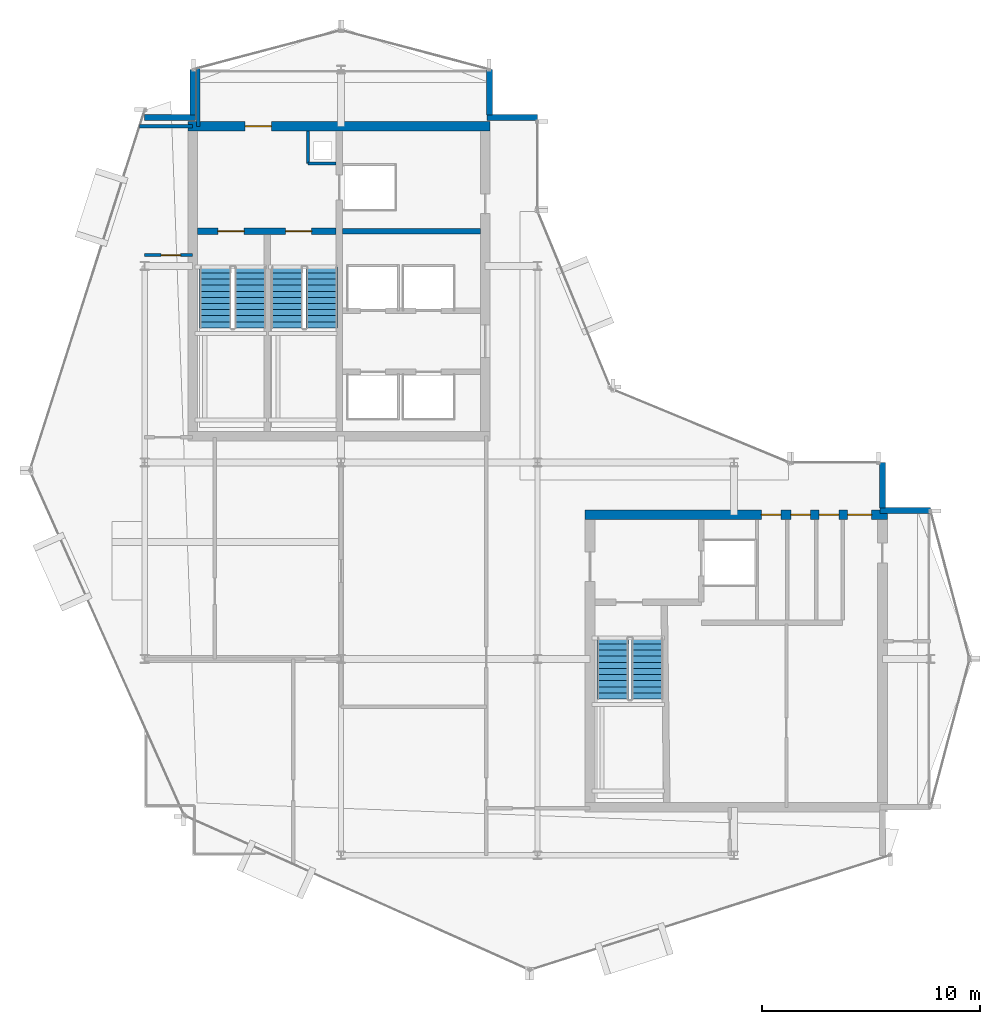
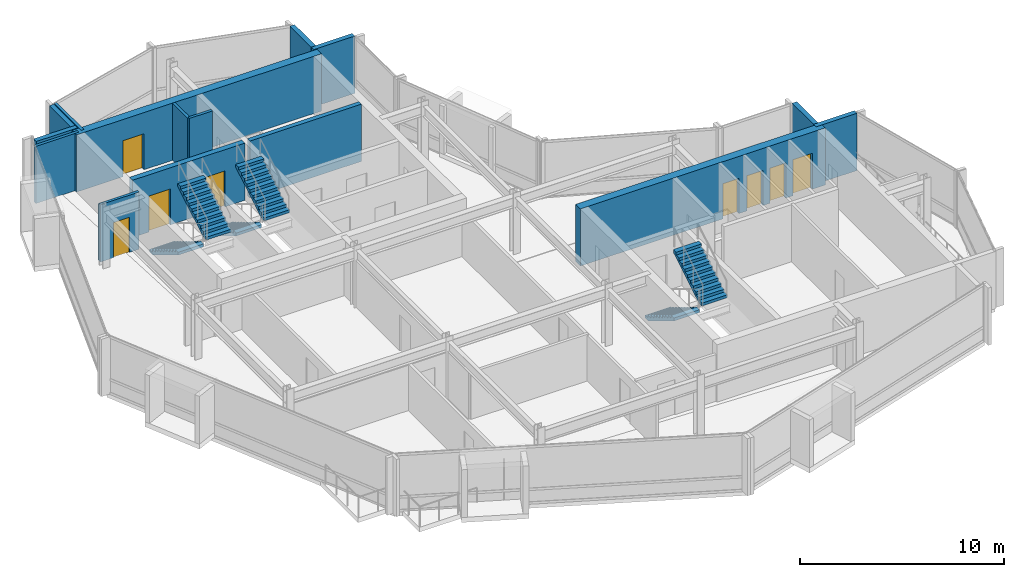
# One storey, part 15 of 19: 15 walls, 8 doors, 6 stair flights, 8 openings, 3 elements without a shape of their own.
"""IFC4 building model written with IfcOpenShell, lengths in metres."""

from ifc_helpers import new_model, si_unit, direction, frame, frame_2d, origin, place, context, subcontext, project, spatial, polyline, rectangle, outline, extrude, material, layer, layer_set, type_object, element, fill, aggregate, save


model = new_model("IFC4")

# Units and contexts
model_context = context("Model", 3, precision=1e-05, world=origin(), true_north=direction((0.0, 1.0)))
body_context = subcontext(model_context, "Body", "Model", "MODEL_VIEW")
ifc_project = project(units=[si_unit("LENGTHUNIT", "METRE"), si_unit("AREAUNIT", "SQUARE_METRE"), si_unit("VOLUMEUNIT", "CUBIC_METRE"), si_unit("PLANEANGLEUNIT", "RADIAN"), si_unit("MASSUNIT", "GRAM", prefix="KILO")], contexts=[model_context])

# Site, building, storey
site_placement = place(None, origin())
site = spatial("IfcSite", under=ifc_project, at=site_placement, CompositionType="ELEMENT")
building_placement = place(site_placement, origin())
building = spatial("IfcBuilding", under=site, at=building_placement, Name="Solvaryn Broadcast Tower", CompositionType="ELEMENT")
storey_placement = place(building_placement, frame((0.0, 0.0, 259.300048828125)))
storey = spatial("IfcBuildingStorey", under=building, at=storey_placement, Name="L65", CompositionType="ELEMENT", Elevation=259.300048828125)

# Wall, opening, door
ifc_material_1 = material(Name="Concrete f'c 70 MPa", Category="concrete")
ifc_layer_1 = layer(ifc_material_1, 0.449951171875)
ifc_layer_set_1 = layer_set([ifc_layer_1], Name="CW-SHEAR-450")
wall_type_1 = type_object("IfcWallType", Name="CW-SHEAR-450", PredefinedType="SHEAR", material=ifc_layer_set_1)
wall_1_placement = place(storey_placement, frame((24.824951171875, 42.39990234375, 0.0), z_axis=(0.0, 0.0, 1.0), x_axis=(-1.0, 0.0, 0.0)))
wall_1 = element("IfcWall", 1, at=wall_1_placement, inside=storey, type_object=wall_type_1, Name="L65 West Core North Shear Wall", PredefinedType="SHEAR", context=body_context, shape_type="SweptSolid", body=[
    extrude(rectangle(XDim=13.849853515625, YDim=0.449951171875, at=frame_2d((6.9248046875, 0.0))), origin(), (0.0, 0.0, 1.0), 3.419921875),
])
opening_1_placement = place(wall_1_placement, frame((10.02490234375, 0.0, 0.0)))
opening_1 = element("IfcOpeningElement", 2, at=opening_1_placement, cuts=wall_1, Name="Opening FD90A", PredefinedType="OPENING", context=body_context, shape_type="SweptSolid", body=[
    extrude(rectangle(XDim=1.199951171875, YDim=2.14990234375, at=frame_2d((0.60009765625, 1.074951171875))), frame((0.0, 0.235107421875, 0.0), z_axis=(0.0, -1.0, 0.0), x_axis=(1.0, 0.0, 0.0)), (0.0, 0.0, 1.0), 0.469970703125),
])
ifc_material_2 = material(Name="Flush Acoustic Steel and Timber Door Assembly", Category="steel")
door_type_1 = type_object("IfcDoorType", Name="FD90-STAIR-1200X2150", OperationType="NOTDEFINED", PredefinedType="DOOR", material=ifc_material_2)
door_1_placement = place(opening_1_placement, origin())
door_1 = element("IfcDoor", 3, at=door_1_placement, inside=storey, type_object=door_type_1, Name="L65 West FSAE Lobby Corridor Door", OperationType="SINGLE_SWING_LEFT", OverallHeight=2.14990234375, OverallWidth=1.199951171875, PredefinedType="DOOR", context=body_context, shape_type="SweptSolid", body=[
    extrude(rectangle(XDim=1.199951171875, YDim=2.14990234375, at=frame_2d((0.60009765625, 1.074951171875))), frame((0.0, 0.02490234375, 0.0), z_axis=(0.0, -1.0, 0.0), x_axis=(1.0, 0.0, 0.0)), (0.0, 0.0, 1.0), 0.050048828125),
])
fill(opening_1, door_1)

# Wall, openings, doors
wall_2_placement = place(storey_placement, frame((43.02490234375, 24.60009765625, 0.0), z_axis=(0.0, 0.0, 1.0), x_axis=(-1.0, 0.0, 0.0)))
wall_2 = element("IfcWall", 4, at=wall_2_placement, inside=storey, type_object=wall_type_1, Name="L65 East Core North Shear Wall", PredefinedType="SHEAR", context=body_context, shape_type="SweptSolid", body=[
    extrude(rectangle(XDim=13.849853515625, YDim=0.449951171875, at=frame_2d((6.9248046875, 0.0))), origin(), (0.0, 0.0, 1.0), 3.419921875),
])
opening_2_placement = place(wall_2_placement, frame((0.72509765625, 0.0, 0.0)))
opening_2 = element("IfcOpeningElement", 5, at=opening_2_placement, cuts=wall_2, Name="Opening FD90C", PredefinedType="OPENING", context=body_context, shape_type="SweptSolid", body=[
    extrude(rectangle(XDim=1.10009765625, YDim=2.14990234375, at=frame_2d((0.550048828125, 1.074951171875))), frame((0.0, 0.235107421875, 0.0), z_axis=(0.0, -1.0, 0.0), x_axis=(1.0, 0.0, 0.0)), (0.0, 0.0, 1.0), 0.469970703125),
])
opening_3_placement = place(wall_2_placement, frame((2.22509765625, 0.0, 0.0)))
opening_3 = element("IfcOpeningElement", 6, at=opening_3_placement, cuts=wall_2, Name="Opening FD60C", PredefinedType="OPENING", context=body_context, shape_type="SweptSolid", body=[
    extrude(rectangle(XDim=0.89990234375, YDim=2.10009765625, at=frame_2d((0.449951171875, 1.050048828125))), frame((0.0, 0.235107421875, 0.0), z_axis=(0.0, -1.0, 0.0), x_axis=(1.0, 0.0, 0.0)), (0.0, 0.0, 1.0), 0.469970703125),
])
opening_4_placement = place(wall_2_placement, frame((3.52490234375, 0.0, 0.0)))
opening_4 = element("IfcOpeningElement", 7, at=opening_4_placement, cuts=wall_2, Name="Opening FD60C", PredefinedType="OPENING", context=body_context, shape_type="SweptSolid", body=[
    extrude(rectangle(XDim=0.89990234375, YDim=2.10009765625, at=frame_2d((0.449951171875, 1.050048828125))), frame((0.0, 0.235107421875, 0.0), z_axis=(0.0, -1.0, 0.0), x_axis=(1.0, 0.0, 0.0)), (0.0, 0.0, 1.0), 0.469970703125),
])
opening_5_placement = place(wall_2_placement, frame((4.875, 0.0, 0.0)))
opening_5 = element("IfcOpeningElement", 8, at=opening_5_placement, cuts=wall_2, Name="Opening FD60C", PredefinedType="OPENING", context=body_context, shape_type="SweptSolid", body=[
    extrude(rectangle(XDim=0.89990234375, YDim=2.10009765625, at=frame_2d((0.449951171875, 1.050048828125))), frame((0.0, 0.235107421875, 0.0), z_axis=(0.0, -1.0, 0.0), x_axis=(1.0, 0.0, 0.0)), (0.0, 0.0, 1.0), 0.469970703125),
])
ifc_material_3 = material(Name="Flush Acoustic Steel and Timber Door Assembly", Category="steel")
door_type_2 = type_object("IfcDoorType", Name="FD60-SERV-900X2100", OperationType="NOTDEFINED", PredefinedType="DOOR", material=ifc_material_3)
door_2_placement = place(opening_3_placement, origin())
door_2 = element("IfcDoor", 9, at=door_2_placement, inside=storey, type_object=door_type_2, Name="L65 Core Wellness Room Door", OperationType="SINGLE_SWING_RIGHT", OverallHeight=2.10009765625, OverallWidth=0.89990234375, PredefinedType="DOOR", context=body_context, shape_type="SweptSolid", body=[
    extrude(rectangle(XDim=0.89990234375, YDim=2.10009765625, at=frame_2d((0.449951171875, 1.050048828125))), frame((0.0, 0.02490234375, 0.0), z_axis=(0.0, -1.0, 0.0), x_axis=(1.0, 0.0, 0.0)), (0.0, 0.0, 1.0), 0.050048828125),
])
fill(opening_3, door_2)
door_3_placement = place(opening_4_placement, origin())
door_3 = element("IfcDoor", 10, at=door_3_placement, inside=storey, type_object=door_type_2, Name="L65 Staff Restroom Door", OperationType="SINGLE_SWING_LEFT", OverallHeight=2.10009765625, OverallWidth=0.89990234375, PredefinedType="DOOR", context=body_context, shape_type="SweptSolid", body=[
    extrude(rectangle(XDim=0.89990234375, YDim=2.10009765625, at=frame_2d((0.449951171875, 1.050048828125))), frame((0.0, 0.02490234375, 0.0), z_axis=(0.0, -1.0, 0.0), x_axis=(1.0, 0.0, 0.0)), (0.0, 0.0, 1.0), 0.050048828125),
])
fill(opening_4, door_3)
door_4_placement = place(opening_5_placement, origin())
door_4 = element("IfcDoor", 11, at=door_4_placement, inside=storey, type_object=door_type_2, Name="L65 Accessible WC Door", OperationType="SINGLE_SWING_RIGHT", OverallHeight=2.10009765625, OverallWidth=0.89990234375, PredefinedType="DOOR", context=body_context, shape_type="SweptSolid", body=[
    extrude(rectangle(XDim=0.89990234375, YDim=2.10009765625, at=frame_2d((0.449951171875, 1.050048828125))), frame((0.0, 0.02490234375, 0.0), z_axis=(0.0, -1.0, 0.0), x_axis=(1.0, 0.0, 0.0)), (0.0, 0.0, 1.0), 0.050048828125),
])
fill(opening_5, door_4)
ifc_material_4 = material(Name="Flush Acoustic Steel and Timber Door Assembly", Category="steel")
door_type_3 = type_object("IfcDoorType", Name="FD90-PLANT-1100X2150", OperationType="NOTDEFINED", PredefinedType="DOOR", material=ifc_material_4)
door_5_placement = place(opening_2_placement, origin())
door_5 = element("IfcDoor", 12, at=door_5_placement, inside=storey, type_object=door_type_3, Name="L65 East Core Lobby Corridor Door", OperationType="SINGLE_SWING_LEFT", OverallHeight=2.14990234375, OverallWidth=1.10009765625, PredefinedType="DOOR", context=body_context, shape_type="SweptSolid", body=[
    extrude(rectangle(XDim=1.10009765625, YDim=2.14990234375, at=frame_2d((0.550048828125, 1.074951171875))), frame((0.0, 0.02490234375, 0.0), z_axis=(0.0, -1.0, 0.0), x_axis=(1.0, 0.0, 0.0)), (0.0, 0.0, 1.0), 0.050048828125),
])
fill(opening_2, door_5)

# Walls
ifc_material_5 = material(Name="Concrete f'c 50 MPa", Category="concrete")
ifc_layer_2 = layer(ifc_material_5, 0.260009765625)
ifc_layer_set_2 = layer_set([ifc_layer_2], Name="EW-PIER-260")
wall_type_2 = type_object("IfcWallType", Name="EW-PIER-260", PredefinedType="SOLIDWALL", material=ifc_layer_set_2)
wall_3_placement = place(storey_placement, frame((9.0, 42.800048828125, 0.0), z_axis=(0.0, 0.0, 1.0), x_axis=(1.0, 0.0, 0.0)))
element("IfcWall", 13, at=wall_3_placement, inside=storey, type_object=wall_type_2, Name="L65 Notched Corner Pier Wall NNW1", PredefinedType="SOLIDWALL", context=body_context, shape_type="SweptSolid", body=[
    extrude(rectangle(XDim=2.320068359375, YDim=0.260009765625, at=frame_2d((1.16015625, 0.0))), origin(), (0.0, 0.0, 1.0), 3.419921875),
])
for number, where, z_axis, x_axis, name in (
    (14, (11.199951171875, 42.919921875, 0.0), (0.0, 0.0, 1.0), (0.0, 1.0, 0.0), "L65 Notched Corner Pier Wall NNW2"),
    (15, (24.800048828125, 45.0, 0.0), (0.0, 0.0, 1.0), (0.0, -1.0, 0.0), "L65 Notched Corner Pier Wall NNE1"),
):
    element("IfcWall", number, at=place(storey_placement, frame(where, z_axis=z_axis, x_axis=x_axis)), inside=storey, type_object=wall_type_2, Name=name, PredefinedType="SOLIDWALL", context=body_context, shape_type="SweptSolid", body=[
        extrude(rectangle(XDim=2.080078125, YDim=0.260009765625, at=frame_2d((1.0400390625, 0.0))), origin(), (0.0, 0.0, 1.0), 3.419921875),
    ])
for number, where, z_axis, x_axis, name in (
    (16, (24.679931640625, 42.800048828125, 0.0), (0.0, 0.0, 1.0), (1.0, 0.0, 0.0), "L65 Notched Corner Pier Wall NNE2"),
    (17, (45.0, 24.800048828125, 0.0), (0.0, 0.0, 1.0), (-1.0, 0.0, 0.0), "L65 Notched Corner Pier Wall NEE1"),
):
    element("IfcWall", number, at=place(storey_placement, frame(where, z_axis=z_axis, x_axis=x_axis)), inside=storey, type_object=wall_type_2, Name=name, PredefinedType="SOLIDWALL", context=body_context, shape_type="SweptSolid", body=[
        extrude(rectangle(XDim=2.320068359375, YDim=0.260009765625, at=frame_2d((1.16015625, 0.0))), origin(), (0.0, 0.0, 1.0), 3.419921875),
    ])
wall_4_placement = place(storey_placement, frame((42.800048828125, 24.919921875, 0.0), z_axis=(0.0, 0.0, 1.0), x_axis=(0.0, 1.0, 0.0)))
element("IfcWall", 18, at=wall_4_placement, inside=storey, type_object=wall_type_2, Name="L65 Notched Corner Pier Wall NEE2", PredefinedType="SOLIDWALL", context=body_context, shape_type="SweptSolid", body=[
    extrude(rectangle(XDim=2.080078125, YDim=0.260009765625, at=frame_2d((1.0400390625, 0.0))), origin(), (0.0, 0.0, 1.0), 3.419921875),
])
ifc_material_6 = material(Name="Metal-Stud Service Core Partition")
ifc_layer_3 = layer(ifc_material_6, 0.14990234375)
ifc_layer_set_3 = layer_set([ifc_layer_3], Name="IW-PART-150")
wall_type_3 = type_object("IfcWallType", Name="IW-PART-150", PredefinedType="PARTITIONING", material=ifc_layer_set_3)
wall_5_placement = place(storey_placement, frame((16.47998046875, 40.699951171875, 0.0), z_axis=(0.0, 0.0, 1.0), x_axis=(1.0, 0.0, 0.0)))
element("IfcWall", 19, at=wall_5_placement, inside=storey, type_object=wall_type_3, Name="L65 West Core Riser Shaft South Wall", PredefinedType="PARTITIONING", context=body_context, shape_type="SweptSolid", body=[
    extrude(rectangle(XDim=1.2900390625, YDim=0.14990234375, at=frame_2d((0.64501953125, 0.0))), origin(), (0.0, 0.0, 1.0), 3.419921875),
])
wall_6_placement = place(storey_placement, frame((16.47998046875, 40.699951171875, 0.0), z_axis=(0.0, 0.0, 1.0), x_axis=(0.0, 1.0, 0.0)))
element("IfcWall", 20, at=wall_6_placement, inside=storey, type_object=wall_type_3, Name="L65 West Core Riser Shaft West Wall", PredefinedType="PARTITIONING", context=body_context, shape_type="SweptSolid", body=[
    extrude(rectangle(XDim=1.47509765625, YDim=0.14990234375, at=frame_2d((0.737548828125, 0.0))), origin(), (0.0, 0.0, 1.0), 3.419921875),
])

# Wall, opening, door
wall_7_placement = place(storey_placement, frame((9.0, 36.5, 0.0), z_axis=(0.0, 0.0, 1.0), x_axis=(1.0, 0.0, 0.0)))
wall_7 = element("IfcWall", 21, at=wall_7_placement, inside=storey, type_object=wall_type_3, Name="L65 Interior Partition IW-L65-WM-M", PredefinedType="PARTITIONING", context=body_context, shape_type="SweptSolid", body=[
    extrude(rectangle(XDim=2.199951171875, YDim=0.14990234375, at=frame_2d((1.10009765625, 0.0))), origin(), (0.0, 0.0, 1.0), 3.419921875),
])
opening_6_placement = place(wall_7_placement, frame((0.75, 0.0, 0.0)))
opening_6 = element("IfcOpeningElement", 22, at=opening_6_placement, cuts=wall_7, Name="Opening FD60C", PredefinedType="OPENING", context=body_context, shape_type="SweptSolid", body=[
    extrude(rectangle(XDim=0.89990234375, YDim=2.10009765625, at=frame_2d((0.449951171875, 1.050048828125))), frame((0.0, 0.0849609375, 0.0), z_axis=(0.0, -1.0, 0.0), x_axis=(1.0, 0.0, 0.0)), (0.0, 0.0, 1.0), 0.169921875),
])
door_6_placement = place(opening_6_placement, origin())
door_6 = element("IfcDoor", 23, at=door_6_placement, inside=storey, type_object=door_type_2, Name="L65 Door DR-L65-WM1", OperationType="SINGLE_SWING_LEFT", OverallHeight=2.10009765625, OverallWidth=0.89990234375, PredefinedType="DOOR", context=body_context, shape_type="SweptSolid", body=[
    extrude(rectangle(XDim=0.89990234375, YDim=2.10009765625, at=frame_2d((0.449951171875, 1.050048828125))), frame((0.0, 0.02490234375, 0.0), z_axis=(0.0, -1.0, 0.0), x_axis=(1.0, 0.0, 0.0)), (0.0, 0.0, 1.0), 0.050048828125),
])
fill(opening_6, door_6)

# Walls
ifc_material_7 = material(Name="Metal-Stud Gypsum Office Partition")
ifc_layer_4 = layer(ifc_material_7, 0.159912109375)
ifc_layer_set_4 = layer_set([ifc_layer_4], Name="IW-PART-160")
wall_type_4 = type_object("IfcWallType", Name="IW-PART-160", PredefinedType="PARTITIONING", material=ifc_layer_set_4)
wall_8_placement = place(storey_placement, frame((8.760986328125, 42.39990234375, 0.0), z_axis=(0.0, 0.0, 1.0), x_axis=(1.0, 0.0, 0.0)))
element("IfcWall", 24, at=wall_8_placement, inside=storey, type_object=wall_type_4, Name="L65 Interior Partition IW-L65-WM-N", PredefinedType="PARTITIONING", context=body_context, shape_type="SweptSolid", body=[
    extrude(rectangle(XDim=2.43896484375, YDim=0.159912109375, at=frame_2d((1.219482421875, 0.0))), origin(), (0.0, 0.0, 1.0), 3.419921875),
])
wall_9_placement = place(storey_placement, frame((11.449951171875, 42.39990234375, 0.0), z_axis=(0.0, 0.0, 1.0), x_axis=(0.0, 1.0, 0.0)))
element("IfcWall", 25, at=wall_9_placement, inside=storey, type_object=wall_type_4, Name="L65 Interior Partition IW-L65-WM-E", PredefinedType="PARTITIONING", context=body_context, shape_type="SweptSolid", body=[
    extrude(rectangle(XDim=2.666015625, YDim=0.159912109375, at=frame_2d((1.3330078125, 0.0))), origin(), (0.0, 0.0, 1.0), 3.419921875),
])
ifc_material_8 = material(Name="Concrete f'c 60 MPa", Category="concrete")
ifc_layer_5 = layer(ifc_material_8, 0.25)
ifc_layer_set_5 = layer_set([ifc_layer_5], Name="SW-SHAFT-250")
wall_type_5 = type_object("IfcWallType", Name="SW-SHAFT-250", PredefinedType="PARTITIONING", material=ifc_layer_set_5)
wall_10_placement = place(storey_placement, frame((18.070068359375, 37.60009765625, 0.0), z_axis=(0.0, 0.0, 1.0), x_axis=(1.0, 0.0, 0.0)))
element("IfcWall", 26, at=wall_10_placement, inside=storey, type_object=wall_type_5, Name="L65 West Core FSAE Hoistway Front Wall", PredefinedType="PARTITIONING", context=body_context, shape_type="SweptSolid", body=[
    extrude(rectangle(XDim=6.304931640625, YDim=0.25, at=frame_2d((3.15234375, 0.0))), origin(), (0.0, 0.0, 1.0), 3.419921875),
])

# Wall, openings, doors
ifc_material_9 = material(Name="Concrete f'c 70 MPa", Category="concrete")
ifc_layer_6 = layer(ifc_material_9, 0.300048828125)
ifc_layer_set_6 = layer_set([ifc_layer_6], Name="SW-SHAFT-300")
wall_type_6 = type_object("IfcWallType", Name="SW-SHAFT-300", PredefinedType="SHEAR", material=ifc_layer_set_6)
wall_11_placement = place(storey_placement, frame((17.77001953125, 37.60009765625, 0.0), z_axis=(0.0, 0.0, 1.0), x_axis=(-1.0, 0.0, 0.0)))
wall_11 = element("IfcWall", 27, at=wall_11_placement, inside=storey, type_object=wall_type_6, Name="L65 West Core FSAE Lobby South Wall", PredefinedType="SHEAR", context=body_context, shape_type="SweptSolid", body=[
    extrude(rectangle(XDim=6.344970703125, YDim=0.300048828125, at=frame_2d((3.17236328125, 0.0))), origin(), (0.0, 0.0, 1.0), 3.419921875),
])
opening_7_placement = place(wall_11_placement, frame((4.219970703125, 0.0, 0.0)))
opening_7 = element("IfcOpeningElement", 28, at=opening_7_placement, cuts=wall_11, Name="Opening FD90A", PredefinedType="OPENING", context=body_context, shape_type="SweptSolid", body=[
    extrude(rectangle(XDim=1.199951171875, YDim=2.14990234375, at=frame_2d((0.60009765625, 1.074951171875))), frame((0.0, 0.159912109375, 0.0), z_axis=(0.0, -1.0, 0.0), x_axis=(1.0, 0.0, 0.0)), (0.0, 0.0, 1.0), 0.320068359375),
])
opening_8_placement = place(wall_11_placement, frame((1.1201171875, 0.0, 0.0)))
opening_8 = element("IfcOpeningElement", 29, at=opening_8_placement, cuts=wall_11, Name="Opening FD90A", PredefinedType="OPENING", context=body_context, shape_type="SweptSolid", body=[
    extrude(rectangle(XDim=1.199951171875, YDim=2.14990234375, at=frame_2d((0.60009765625, 1.074951171875))), frame((0.0, 0.159912109375, 0.0), z_axis=(0.0, -1.0, 0.0), x_axis=(1.0, 0.0, 0.0)), (0.0, 0.0, 1.0), 0.320068359375),
])
door_7_placement = place(opening_7_placement, origin())
door_7 = element("IfcDoor", 30, at=door_7_placement, inside=storey, type_object=door_type_1, Name="L65 Stair 1 Fire Door", OperationType="SINGLE_SWING_LEFT", OverallHeight=2.14990234375, OverallWidth=1.199951171875, PredefinedType="DOOR", context=body_context, shape_type="SweptSolid", body=[
    extrude(rectangle(XDim=1.199951171875, YDim=2.14990234375, at=frame_2d((0.60009765625, 1.074951171875))), frame((0.0, 0.02490234375, 0.0), z_axis=(0.0, -1.0, 0.0), x_axis=(1.0, 0.0, 0.0)), (0.0, 0.0, 1.0), 0.050048828125),
])
fill(opening_7, door_7)
door_8_placement = place(opening_8_placement, origin())
door_8 = element("IfcDoor", 31, at=door_8_placement, inside=storey, type_object=door_type_1, Name="L65 Stair 2 Fire Door", OperationType="SINGLE_SWING_RIGHT", OverallHeight=2.14990234375, OverallWidth=1.199951171875, PredefinedType="DOOR", context=body_context, shape_type="SweptSolid", body=[
    extrude(rectangle(XDim=1.199951171875, YDim=2.14990234375, at=frame_2d((0.60009765625, 1.074951171875))), frame((0.0, 0.02490234375, 0.0), z_axis=(0.0, -1.0, 0.0), x_axis=(1.0, 0.0, 0.0)), (0.0, 0.0, 1.0), 0.050048828125),
])
fill(opening_8, door_8)

# Stair, stair flights
ifc_material_10 = material(Name="Concrete f'c 60 MPa", Category="concrete")
stair_type = type_object("IfcStairType", Name="ST-CORE", PredefinedType="HALF_TURN_STAIR", material=ifc_material_10)
stair_1_placement = place(storey_placement, origin())
stair_1 = element("IfcStair", 32, at=stair_1_placement, inside=storey, type_object=stair_type, Name="L65 ST1", PredefinedType="HALF_TURN_STAIR")
ifc_material_11 = material(Name="Concrete f'c 60 MPa", Category="concrete")
ifc_layer_7 = layer(ifc_material_11, 0.159912109375)
ifc_layer_set_7 = layer_set([ifc_layer_7], Name="SF-CORE")
stair_flight_type = type_object("IfcStairFlightType", Name="SF-CORE", PredefinedType="STRAIGHT", material=ifc_layer_set_7)
stair_flight_1_placement = place(storey_placement, frame((12.239990234375, 35.9599609375, 0.0), z_axis=(0.0, 0.0, 1.0), x_axis=(0.0, -1.0, 0.0)))
stair_flight_1 = element("IfcStairFlight", 33, at=stair_flight_1_placement, type_object=stair_flight_type, Name="ST1 flight 1", NumberOfRisers=11, NumberOfTreads=10, PredefinedType="STRAIGHT", RiserHeight=0.168181818, TreadLength=0.28, context=body_context, shape_type="SweptSolid", body=[
    extrude(outline(polyline([(0.0, 0.0), (0.0, 0.168212890625), (0.280029296875, 0.168212890625), (0.280029296875, 0.33642578125), (0.56005859375, 0.33642578125), (0.56005859375, 0.504638671875), (0.840087890625, 0.504638671875), (0.840087890625, 0.672607421875), (1.1201171875, 0.672607421875), (1.1201171875, 0.8408203125), (1.39990234375, 0.8408203125), (1.39990234375, 1.009033203125), (1.679931640625, 1.009033203125), (1.679931640625, 1.17724609375), (1.9599609375, 1.17724609375), (1.9599609375, 1.345458984375), (2.239990234375, 1.345458984375), (2.239990234375, 1.513671875), (2.52001953125, 1.513671875), (2.52001953125, 1.681884765625), (2.800048828125, 1.681884765625), (2.800048828125, 1.85009765625), (2.800048828125, 1.5068359375), (0.291015625, 0.0), (0.0, 0.0)])), frame((0.0, 0.719970703125, 0.0), z_axis=(0.0, -1.0, 0.0), x_axis=(1.0, 0.0, 0.0)), (0.0, 0.0, 1.0), 1.43994140625),
])
stair_flight_2_placement = place(storey_placement, frame((13.830078125, 33.159912109375, 1.849853515625), z_axis=(0.0, 0.0, 1.0), x_axis=(0.0, 1.0, 0.0)))
stair_flight_2 = element("IfcStairFlight", 34, at=stair_flight_2_placement, type_object=stair_flight_type, Name="ST1 flight 2", NumberOfRisers=11, NumberOfTreads=10, PredefinedType="STRAIGHT", RiserHeight=0.168181818, TreadLength=0.28, context=body_context, shape_type="SweptSolid", body=[
    extrude(outline(polyline([(0.0, 0.0), (0.0, 0.168212890625), (0.280029296875, 0.168212890625), (0.280029296875, 0.33642578125), (0.56005859375, 0.33642578125), (0.56005859375, 0.504638671875), (0.840087890625, 0.504638671875), (0.840087890625, 0.672607421875), (1.1201171875, 0.672607421875), (1.1201171875, 0.8408203125), (1.39990234375, 0.8408203125), (1.39990234375, 1.009033203125), (1.679931640625, 1.009033203125), (1.679931640625, 1.17724609375), (1.9599609375, 1.17724609375), (1.9599609375, 1.345458984375), (2.239990234375, 1.345458984375), (2.239990234375, 1.513671875), (2.52001953125, 1.513671875), (2.52001953125, 1.681884765625), (2.800048828125, 1.681884765625), (2.800048828125, 1.85009765625), (2.800048828125, 1.5068359375), (0.291015625, 0.0), (0.0, 0.0)])), frame((0.0, 0.719970703125, 0.0), z_axis=(0.0, -1.0, 0.0), x_axis=(1.0, 0.0, 0.0)), (0.0, 0.0, 1.0), 1.43994140625),
])
aggregate(stair_1, [stair_flight_1, stair_flight_2])

stair_2_placement = place(storey_placement, origin())
stair_2 = element("IfcStair", 35, at=stair_2_placement, inside=storey, type_object=stair_type, Name="L65 ST2", PredefinedType="HALF_TURN_STAIR")
stair_flight_3_placement = place(storey_placement, frame((15.52001953125, 35.9599609375, 0.0), z_axis=(0.0, 0.0, 1.0), x_axis=(0.0, -1.0, 0.0)))
stair_flight_3 = element("IfcStairFlight", 36, at=stair_flight_3_placement, type_object=stair_flight_type, Name="ST2 flight 1", NumberOfRisers=11, NumberOfTreads=10, PredefinedType="STRAIGHT", RiserHeight=0.168181818, TreadLength=0.28, context=body_context, shape_type="SweptSolid", body=[
    extrude(outline(polyline([(0.0, 0.0), (0.0, 0.168212890625), (0.280029296875, 0.168212890625), (0.280029296875, 0.33642578125), (0.56005859375, 0.33642578125), (0.56005859375, 0.504638671875), (0.840087890625, 0.504638671875), (0.840087890625, 0.672607421875), (1.1201171875, 0.672607421875), (1.1201171875, 0.8408203125), (1.39990234375, 0.8408203125), (1.39990234375, 1.009033203125), (1.679931640625, 1.009033203125), (1.679931640625, 1.17724609375), (1.9599609375, 1.17724609375), (1.9599609375, 1.345458984375), (2.239990234375, 1.345458984375), (2.239990234375, 1.513671875), (2.52001953125, 1.513671875), (2.52001953125, 1.681884765625), (2.800048828125, 1.681884765625), (2.800048828125, 1.85009765625), (2.800048828125, 1.5068359375), (0.291015625, 0.0), (0.0, 0.0)])), frame((0.0, 0.719970703125, 0.0), z_axis=(0.0, -1.0, 0.0), x_axis=(1.0, 0.0, 0.0)), (0.0, 0.0, 1.0), 1.43994140625),
])
stair_flight_4_placement = place(storey_placement, frame((17.110107421875, 33.159912109375, 1.849853515625), z_axis=(0.0, 0.0, 1.0), x_axis=(0.0, 1.0, 0.0)))
stair_flight_4 = element("IfcStairFlight", 37, at=stair_flight_4_placement, type_object=stair_flight_type, Name="ST2 flight 2", NumberOfRisers=11, NumberOfTreads=10, PredefinedType="STRAIGHT", RiserHeight=0.168181818, TreadLength=0.28, context=body_context, shape_type="SweptSolid", body=[
    extrude(outline(polyline([(0.0, 0.0), (0.0, 0.168212890625), (0.280029296875, 0.168212890625), (0.280029296875, 0.33642578125), (0.56005859375, 0.33642578125), (0.56005859375, 0.504638671875), (0.840087890625, 0.504638671875), (0.840087890625, 0.672607421875), (1.1201171875, 0.672607421875), (1.1201171875, 0.8408203125), (1.39990234375, 0.8408203125), (1.39990234375, 1.009033203125), (1.679931640625, 1.009033203125), (1.679931640625, 1.17724609375), (1.9599609375, 1.17724609375), (1.9599609375, 1.345458984375), (2.239990234375, 1.345458984375), (2.239990234375, 1.513671875), (2.52001953125, 1.513671875), (2.52001953125, 1.681884765625), (2.800048828125, 1.681884765625), (2.800048828125, 1.85009765625), (2.800048828125, 1.5068359375), (0.291015625, 0.0), (0.0, 0.0)])), frame((0.0, 0.719970703125, 0.0), z_axis=(0.0, -1.0, 0.0), x_axis=(1.0, 0.0, 0.0)), (0.0, 0.0, 1.0), 1.43994140625),
])
aggregate(stair_2, [stair_flight_3, stair_flight_4])

stair_3_placement = place(storey_placement, origin())
stair_3 = element("IfcStair", 38, at=stair_3_placement, inside=storey, type_object=stair_type, Name="L65 ST3", PredefinedType="HALF_TURN_STAIR")
stair_flight_5_placement = place(storey_placement, frame((30.43994140625, 18.9599609375, 0.0), z_axis=(0.0, 0.0, 1.0), x_axis=(0.0, -1.0, 0.0)))
stair_flight_5 = element("IfcStairFlight", 39, at=stair_flight_5_placement, type_object=stair_flight_type, Name="ST3 flight 1", NumberOfRisers=11, NumberOfTreads=10, PredefinedType="STRAIGHT", RiserHeight=0.168181818, TreadLength=0.28, context=body_context, shape_type="SweptSolid", body=[
    extrude(outline(polyline([(0.0, 0.0), (0.0, 0.168212890625), (0.280029296875, 0.168212890625), (0.280029296875, 0.33642578125), (0.56005859375, 0.33642578125), (0.56005859375, 0.504638671875), (0.840087890625, 0.504638671875), (0.840087890625, 0.672607421875), (1.1201171875, 0.672607421875), (1.1201171875, 0.8408203125), (1.39990234375, 0.8408203125), (1.39990234375, 1.009033203125), (1.679931640625, 1.009033203125), (1.679931640625, 1.17724609375), (1.9599609375, 1.17724609375), (1.9599609375, 1.345458984375), (2.239990234375, 1.345458984375), (2.239990234375, 1.513671875), (2.52001953125, 1.513671875), (2.52001953125, 1.681884765625), (2.800048828125, 1.681884765625), (2.800048828125, 1.85009765625), (2.800048828125, 1.5068359375), (0.291015625, 0.0), (0.0, 0.0)])), frame((0.0, 0.719970703125, 0.0), z_axis=(0.0, -1.0, 0.0), x_axis=(1.0, 0.0, 0.0)), (0.0, 0.0, 1.0), 1.43994140625),
])
stair_flight_6_placement = place(storey_placement, frame((32.030029296875, 16.159912109375, 1.849853515625), z_axis=(0.0, 0.0, 1.0), x_axis=(0.0, 1.0, 0.0)))
stair_flight_6 = element("IfcStairFlight", 40, at=stair_flight_6_placement, type_object=stair_flight_type, Name="ST3 flight 2", NumberOfRisers=11, NumberOfTreads=10, PredefinedType="STRAIGHT", RiserHeight=0.168181818, TreadLength=0.28, context=body_context, shape_type="SweptSolid", body=[
    extrude(outline(polyline([(0.0, 0.0), (0.0, 0.168212890625), (0.280029296875, 0.168212890625), (0.280029296875, 0.33642578125), (0.56005859375, 0.33642578125), (0.56005859375, 0.504638671875), (0.840087890625, 0.504638671875), (0.840087890625, 0.672607421875), (1.1201171875, 0.672607421875), (1.1201171875, 0.8408203125), (1.39990234375, 0.8408203125), (1.39990234375, 1.009033203125), (1.679931640625, 1.009033203125), (1.679931640625, 1.17724609375), (1.9599609375, 1.17724609375), (1.9599609375, 1.345458984375), (2.239990234375, 1.345458984375), (2.239990234375, 1.513671875), (2.52001953125, 1.513671875), (2.52001953125, 1.681884765625), (2.800048828125, 1.681884765625), (2.800048828125, 1.85009765625), (2.800048828125, 1.5068359375), (0.291015625, 0.0), (0.0, 0.0)])), frame((0.0, 0.719970703125, 0.0), z_axis=(0.0, -1.0, 0.0), x_axis=(1.0, 0.0, 0.0)), (0.0, 0.0, 1.0), 1.43994140625),
])
aggregate(stair_3, [stair_flight_5, stair_flight_6])

save(model, "model.ifc")
